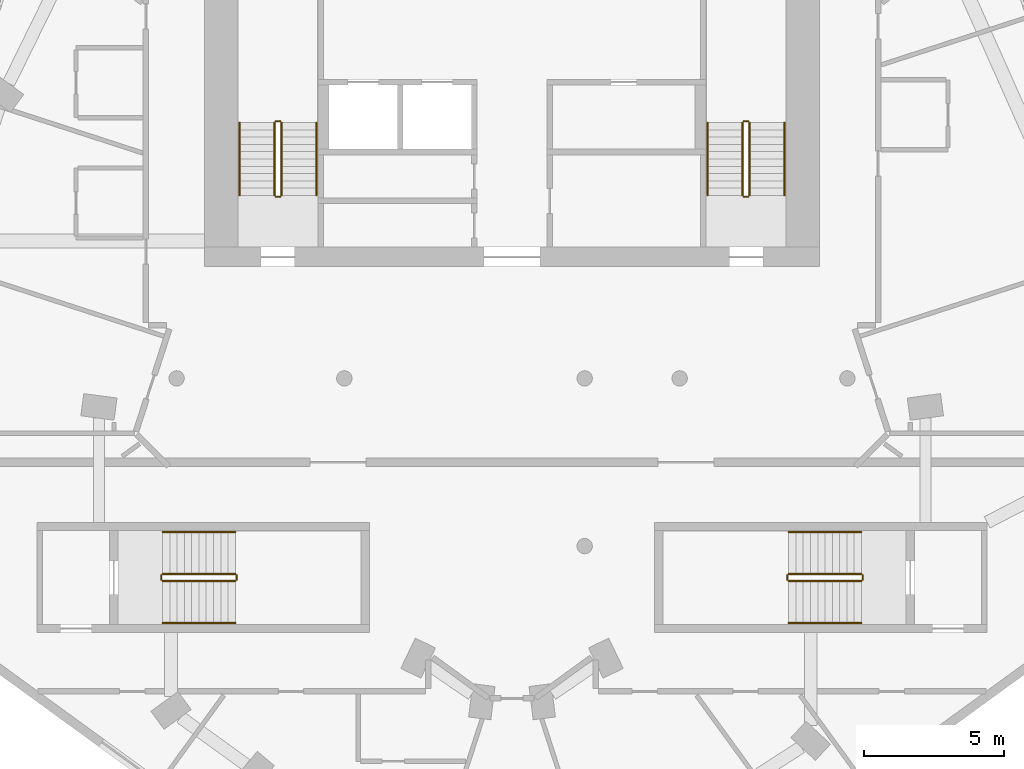
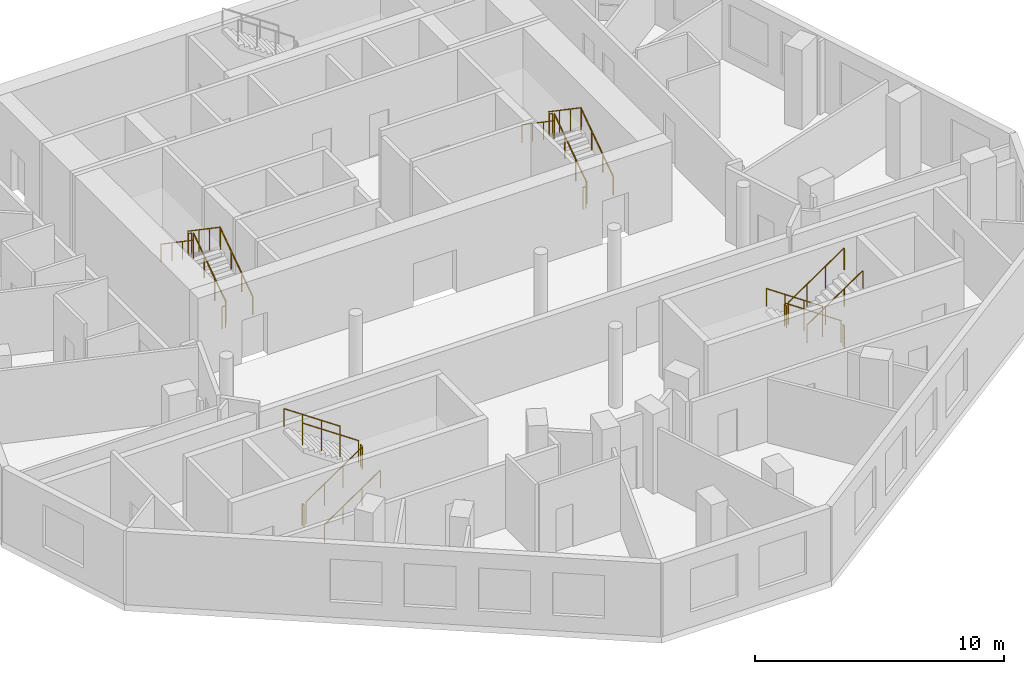
# One storey, part 7 of 8: 24 railings.
"""IFC4 building model written with IfcOpenShell, lengths in metres."""

from ifc_helpers import new_model, si_unit, direction, frame, origin, origin_2d, place, context, subcontext, project, spatial, circle, extrude, material, type_object, element, save


model = new_model("IFC4")

# Units and contexts
model_context = context("Model", 3, precision=1e-05, world=origin(), true_north=direction((0.0, 1.0)))
body_context = subcontext(model_context, "Body", "Model", "MODEL_VIEW")
ifc_project = project(units=[si_unit("LENGTHUNIT", "METRE"), si_unit("AREAUNIT", "SQUARE_METRE"), si_unit("VOLUMEUNIT", "CUBIC_METRE"), si_unit("PLANEANGLEUNIT", "RADIAN"), si_unit("MASSUNIT", "GRAM", prefix="KILO")], contexts=[model_context])

# Site, building, storey
site_placement = place(None, origin())
site = spatial("IfcSite", under=ifc_project, at=site_placement, CompositionType="ELEMENT")
building_placement = place(site_placement, origin())
building = spatial("IfcBuilding", under=site, at=building_placement, Name="White Candle Pilgrim Tower", CompositionType="ELEMENT")
storey_placement = place(building_placement, frame((0.0, 0.0, 267.800048828125)))
storey = spatial("IfcBuildingStorey", under=building, at=storey_placement, Name="L63", CompositionType="ELEMENT", Elevation=267.800048828125)

# Railings
ifc_material = material(Name="Stainless steel", Category="steel")
railing_type_1 = type_object("IfcRailingType", Name="Stair guard stainless steel 1100 mm", PredefinedType="GUARDRAIL", material=ifc_material)
railing_1_placement = place(storey_placement, frame((61.75, 73.550048828125, 0.17724609375)))
element("IfcRailing", 1, at=railing_1_placement, inside=storey, type_object=railing_type_1, Name="L63 ST1 stair guard 1", PredefinedType="GUARDRAIL", context=body_context, shape_type="SweptSolid", body=[
    extrude(circle(Radius=0.02392578125, at=origin_2d()), frame((0.0, 0.0, 1.076171875), z_axis=(0.0, 0.826215852431, 0.563353676824), x_axis=(-1.0, 0.0, 0.0)), (0.0, 0.0, 1.0), 3.146728515625),
    extrude(circle(Radius=0.02099609375, at=origin_2d()), origin(), (0.0, 0.0, 1.0), 1.052001953125),
    extrude(circle(Radius=0.02099609375, at=origin_2d()), frame((0.0, 0.86669921875, 0.5908203125)), (0.0, 0.0, 1.0), 1.052001953125),
    extrude(circle(Radius=0.02099609375, at=origin_2d()), frame((0.0, 1.733154296875, 1.181884765625)), (0.0, 0.0, 1.0), 1.052001953125),
    extrude(circle(Radius=0.02099609375, at=origin_2d()), frame((0.0, 2.599853515625, 1.772705078125)), (0.0, 0.0, 1.0), 1.052001953125),
])
railing_2_placement = place(storey_placement, frame((61.699951171875, 76.199951171875, 1.949951171875)))
element("IfcRailing", 2, at=railing_2_placement, inside=storey, type_object=railing_type_1, Name="L63 ST1 stair guard 2", PredefinedType="GUARDRAIL", context=body_context, shape_type="SweptSolid", body=[
    extrude(circle(Radius=0.02392578125, at=origin_2d()), frame((0.0, 0.0, 1.076171875), z_axis=(-1.0, 0.0, 0.0), x_axis=(0.0, -1.0, 0.0)), (0.0, 0.0, 1.0), 0.14990234375),
    extrude(circle(Radius=0.02099609375, at=origin_2d()), origin(), (0.0, 0.0, 1.0), 1.052001953125),
    extrude(circle(Radius=0.02099609375, at=origin_2d()), frame((-0.14990234375, 0.0, 0.0)), (0.0, 0.0, 1.0), 1.052001953125),
])
railing_3_placement = place(storey_placement, frame((61.5, 76.14990234375, 2.127197265625)))
element("IfcRailing", 3, at=railing_3_placement, inside=storey, type_object=railing_type_1, Name="L63 ST1 stair guard 3", PredefinedType="GUARDRAIL", context=body_context, shape_type="SweptSolid", body=[
    extrude(circle(Radius=0.02392578125, at=origin_2d()), frame((0.0, 0.0, 1.076171875), z_axis=(0.0, -0.826215852431, 0.563353676824), x_axis=(1.0, 0.0, 0.0)), (0.0, 0.0, 1.0), 3.146728515625),
    extrude(circle(Radius=0.02099609375, at=origin_2d()), origin(), (0.0, 0.0, 1.0), 1.052001953125),
    extrude(circle(Radius=0.02099609375, at=origin_2d()), frame((0.0, -0.86669921875, 0.5908203125)), (0.0, 0.0, 1.0), 1.052001953125),
    extrude(circle(Radius=0.02099609375, at=origin_2d()), frame((0.0, -1.733154296875, 1.181884765625)), (0.0, 0.0, 1.0), 1.052001953125),
    extrude(circle(Radius=0.02099609375, at=origin_2d()), frame((0.0, -2.599853515625, 1.772705078125)), (0.0, 0.0, 1.0), 1.052001953125),
])
railing_4_placement = place(storey_placement, frame((61.699951171875, 73.5, 0.0)))
element("IfcRailing", 4, at=railing_4_placement, inside=storey, type_object=railing_type_1, Name="L63 ST1 stair guard 4", PredefinedType="GUARDRAIL", context=body_context, shape_type="SweptSolid", body=[
    extrude(circle(Radius=0.02392578125, at=origin_2d()), frame((0.0, 0.0, 1.076171875), z_axis=(-1.0, 0.0, 0.0), x_axis=(0.0, -1.0, 0.0)), (0.0, 0.0, 1.0), 0.14990234375),
    extrude(circle(Radius=0.02099609375, at=origin_2d()), origin(), (0.0, 0.0, 1.0), 1.052001953125),
    extrude(circle(Radius=0.02099609375, at=origin_2d()), frame((-0.14990234375, 0.0, 0.0)), (0.0, 0.0, 1.0), 1.052001953125),
])
railing_5_placement = place(storey_placement, frame((78.5, 73.550048828125, 0.17724609375)))
element("IfcRailing", 5, at=railing_5_placement, inside=storey, type_object=railing_type_1, Name="L63 ST2 stair guard 1", PredefinedType="GUARDRAIL", context=body_context, shape_type="SweptSolid", body=[
    extrude(circle(Radius=0.02392578125, at=origin_2d()), frame((0.0, 0.0, 1.076171875), z_axis=(0.0, 0.826215852431, 0.563353676824), x_axis=(-1.0, 0.0, 0.0)), (0.0, 0.0, 1.0), 3.146728515625),
    extrude(circle(Radius=0.02099609375, at=origin_2d()), origin(), (0.0, 0.0, 1.0), 1.052001953125),
    extrude(circle(Radius=0.02099609375, at=origin_2d()), frame((0.0, 0.86669921875, 0.5908203125)), (0.0, 0.0, 1.0), 1.052001953125),
    extrude(circle(Radius=0.02099609375, at=origin_2d()), frame((0.0, 1.733154296875, 1.181884765625)), (0.0, 0.0, 1.0), 1.052001953125),
    extrude(circle(Radius=0.02099609375, at=origin_2d()), frame((0.0, 2.599853515625, 1.772705078125)), (0.0, 0.0, 1.0), 1.052001953125),
])
railing_6_placement = place(storey_placement, frame((78.449951171875, 76.199951171875, 1.949951171875)))
element("IfcRailing", 6, at=railing_6_placement, inside=storey, type_object=railing_type_1, Name="L63 ST2 stair guard 2", PredefinedType="GUARDRAIL", context=body_context, shape_type="SweptSolid", body=[
    extrude(circle(Radius=0.02392578125, at=origin_2d()), frame((0.0, 0.0, 1.076171875), z_axis=(-1.0, 0.0, 0.0), x_axis=(0.0, -1.0, 0.0)), (0.0, 0.0, 1.0), 0.14990234375),
    extrude(circle(Radius=0.02099609375, at=origin_2d()), origin(), (0.0, 0.0, 1.0), 1.052001953125),
    extrude(circle(Radius=0.02099609375, at=origin_2d()), frame((-0.14990234375, 0.0, 0.0)), (0.0, 0.0, 1.0), 1.052001953125),
])
railing_7_placement = place(storey_placement, frame((78.25, 76.14990234375, 2.127197265625)))
element("IfcRailing", 7, at=railing_7_placement, inside=storey, type_object=railing_type_1, Name="L63 ST2 stair guard 3", PredefinedType="GUARDRAIL", context=body_context, shape_type="SweptSolid", body=[
    extrude(circle(Radius=0.02392578125, at=origin_2d()), frame((0.0, 0.0, 1.076171875), z_axis=(0.0, -0.826215852431, 0.563353676824), x_axis=(1.0, 0.0, 0.0)), (0.0, 0.0, 1.0), 3.146728515625),
    extrude(circle(Radius=0.02099609375, at=origin_2d()), origin(), (0.0, 0.0, 1.0), 1.052001953125),
    extrude(circle(Radius=0.02099609375, at=origin_2d()), frame((0.0, -0.86669921875, 0.5908203125)), (0.0, 0.0, 1.0), 1.052001953125),
    extrude(circle(Radius=0.02099609375, at=origin_2d()), frame((0.0, -1.733154296875, 1.181884765625)), (0.0, 0.0, 1.0), 1.052001953125),
    extrude(circle(Radius=0.02099609375, at=origin_2d()), frame((0.0, -2.599853515625, 1.772705078125)), (0.0, 0.0, 1.0), 1.052001953125),
])
railing_8_placement = place(storey_placement, frame((78.449951171875, 73.5, 0.0)))
element("IfcRailing", 8, at=railing_8_placement, inside=storey, type_object=railing_type_1, Name="L63 ST2 stair guard 4", PredefinedType="GUARDRAIL", context=body_context, shape_type="SweptSolid", body=[
    extrude(circle(Radius=0.02392578125, at=origin_2d()), frame((0.0, 0.0, 1.076171875), z_axis=(-1.0, 0.0, 0.0), x_axis=(0.0, -1.0, 0.0)), (0.0, 0.0, 1.0), 0.14990234375),
    extrude(circle(Radius=0.02099609375, at=origin_2d()), origin(), (0.0, 0.0, 1.0), 1.052001953125),
    extrude(circle(Radius=0.02099609375, at=origin_2d()), frame((-0.14990234375, 0.0, 0.0)), (0.0, 0.0, 1.0), 1.052001953125),
])
railing_9_placement = place(storey_placement, frame((82.5, 60.0, 0.17724609375)))
element("IfcRailing", 9, at=railing_9_placement, inside=storey, type_object=railing_type_1, Name="L63 ST4 stair guard 1", PredefinedType="GUARDRAIL", context=body_context, shape_type="SweptSolid", body=[
    extrude(circle(Radius=0.02392578125, at=origin_2d()), frame((0.0, 0.0, 1.076171875), z_axis=(-0.826240473404, 0.0, 0.563317565952), x_axis=(0.0, -1.0, 0.0)), (0.0, 0.0, 1.0), 3.14697265625),
    extrude(circle(Radius=0.02099609375, at=origin_2d()), origin(), (0.0, 0.0, 1.0), 1.052001953125),
    extrude(circle(Radius=0.02099609375, at=origin_2d()), frame((-0.86669921875, 0.0, 0.5908203125)), (0.0, 0.0, 1.0), 1.052001953125),
    extrude(circle(Radius=0.02099609375, at=origin_2d()), frame((-1.7333984375, 0.0, 1.181884765625)), (0.0, 0.0, 1.0), 1.052001953125),
    extrude(circle(Radius=0.02099609375, at=origin_2d()), frame((-2.60009765625, 0.0, 1.772705078125)), (0.0, 0.0, 1.0), 1.052001953125),
])
railing_10_placement = place(storey_placement, frame((79.85009765625, 59.949951171875, 1.949951171875)))
element("IfcRailing", 10, at=railing_10_placement, inside=storey, type_object=railing_type_1, Name="L63 ST4 stair guard 2", PredefinedType="GUARDRAIL", context=body_context, shape_type="SweptSolid", body=[
    extrude(circle(Radius=0.02392578125, at=origin_2d()), frame((0.0, 0.0, 1.076171875), z_axis=(0.0, -1.0, 0.0), x_axis=(1.0, 0.0, 0.0)), (0.0, 0.0, 1.0), 0.14990234375),
    extrude(circle(Radius=0.02099609375, at=origin_2d()), origin(), (0.0, 0.0, 1.0), 1.052001953125),
    extrude(circle(Radius=0.02099609375, at=origin_2d()), frame((0.0, -0.14990234375, 0.0)), (0.0, 0.0, 1.0), 1.052001953125),
])
railing_11_placement = place(storey_placement, frame((79.89990234375, 59.75, 2.127197265625)))
element("IfcRailing", 11, at=railing_11_placement, inside=storey, type_object=railing_type_1, Name="L63 ST4 stair guard 3", PredefinedType="GUARDRAIL", context=body_context, shape_type="SweptSolid", body=[
    extrude(circle(Radius=0.02392578125, at=origin_2d()), frame((0.0, 0.0, 1.076171875), z_axis=(0.826240473404, 0.0, 0.563317565952), x_axis=(0.0, 1.0, 0.0)), (0.0, 0.0, 1.0), 3.14697265625),
    extrude(circle(Radius=0.02099609375, at=origin_2d()), origin(), (0.0, 0.0, 1.0), 1.052001953125),
    extrude(circle(Radius=0.02099609375, at=origin_2d()), frame((0.86669921875, 0.0, 0.5908203125)), (0.0, 0.0, 1.0), 1.052001953125),
    extrude(circle(Radius=0.02099609375, at=origin_2d()), frame((1.7333984375, 0.0, 1.181884765625)), (0.0, 0.0, 1.0), 1.052001953125),
    extrude(circle(Radius=0.02099609375, at=origin_2d()), frame((2.60009765625, 0.0, 1.772705078125)), (0.0, 0.0, 1.0), 1.052001953125),
])
railing_12_placement = place(storey_placement, frame((82.550048828125, 59.949951171875, 0.0)))
element("IfcRailing", 12, at=railing_12_placement, inside=storey, type_object=railing_type_1, Name="L63 ST4 stair guard 4", PredefinedType="GUARDRAIL", context=body_context, shape_type="SweptSolid", body=[
    extrude(circle(Radius=0.02392578125, at=origin_2d()), frame((0.0, 0.0, 1.076171875), z_axis=(0.0, -1.0, 0.0), x_axis=(1.0, 0.0, 0.0)), (0.0, 0.0, 1.0), 0.14990234375),
    extrude(circle(Radius=0.02099609375, at=origin_2d()), origin(), (0.0, 0.0, 1.0), 1.052001953125),
    extrude(circle(Radius=0.02099609375, at=origin_2d()), frame((0.0, -0.14990234375, 0.0)), (0.0, 0.0, 1.0), 1.052001953125),
])
railing_13_placement = place(storey_placement, frame((57.5, 59.75, 0.17724609375)))
element("IfcRailing", 13, at=railing_13_placement, inside=storey, type_object=railing_type_1, Name="L63 ST5 stair guard 1", PredefinedType="GUARDRAIL", context=body_context, shape_type="SweptSolid", body=[
    extrude(circle(Radius=0.02392578125, at=origin_2d()), frame((0.0, 0.0, 1.076171875), z_axis=(0.826240473404, 0.0, 0.563317565952), x_axis=(0.0, 1.0, 0.0)), (0.0, 0.0, 1.0), 3.14697265625),
    extrude(circle(Radius=0.02099609375, at=origin_2d()), origin(), (0.0, 0.0, 1.0), 1.052001953125),
    extrude(circle(Radius=0.02099609375, at=origin_2d()), frame((0.86669921875, 0.0, 0.5908203125)), (0.0, 0.0, 1.0), 1.052001953125),
    extrude(circle(Radius=0.02099609375, at=origin_2d()), frame((1.7333984375, 0.0, 1.181884765625)), (0.0, 0.0, 1.0), 1.052001953125),
    extrude(circle(Radius=0.02099609375, at=origin_2d()), frame((2.60009765625, 0.0, 1.772705078125)), (0.0, 0.0, 1.0), 1.052001953125),
])
railing_14_placement = place(storey_placement, frame((60.14990234375, 59.800048828125, 1.949951171875)))
element("IfcRailing", 14, at=railing_14_placement, inside=storey, type_object=railing_type_1, Name="L63 ST5 stair guard 2", PredefinedType="GUARDRAIL", context=body_context, shape_type="SweptSolid", body=[
    extrude(circle(Radius=0.02392578125, at=origin_2d()), frame((0.0, 0.0, 1.076171875), z_axis=(0.0, 1.0, 0.0), x_axis=(-1.0, 0.0, 0.0)), (0.0, 0.0, 1.0), 0.14990234375),
    extrude(circle(Radius=0.02099609375, at=origin_2d()), origin(), (0.0, 0.0, 1.0), 1.052001953125),
    extrude(circle(Radius=0.02099609375, at=origin_2d()), frame((0.0, 0.14990234375, 0.0)), (0.0, 0.0, 1.0), 1.052001953125),
])
railing_15_placement = place(storey_placement, frame((60.10009765625, 60.0, 2.127197265625)))
element("IfcRailing", 15, at=railing_15_placement, inside=storey, type_object=railing_type_1, Name="L63 ST5 stair guard 3", PredefinedType="GUARDRAIL", context=body_context, shape_type="SweptSolid", body=[
    extrude(circle(Radius=0.02392578125, at=origin_2d()), frame((0.0, 0.0, 1.076171875), z_axis=(-0.826240473404, 0.0, 0.563317565952), x_axis=(0.0, -1.0, 0.0)), (0.0, 0.0, 1.0), 3.14697265625),
    extrude(circle(Radius=0.02099609375, at=origin_2d()), origin(), (0.0, 0.0, 1.0), 1.052001953125),
    extrude(circle(Radius=0.02099609375, at=origin_2d()), frame((-0.86669921875, 0.0, 0.5908203125)), (0.0, 0.0, 1.0), 1.052001953125),
    extrude(circle(Radius=0.02099609375, at=origin_2d()), frame((-1.7333984375, 0.0, 1.181884765625)), (0.0, 0.0, 1.0), 1.052001953125),
    extrude(circle(Radius=0.02099609375, at=origin_2d()), frame((-2.60009765625, 0.0, 1.772705078125)), (0.0, 0.0, 1.0), 1.052001953125),
])
railing_16_placement = place(storey_placement, frame((57.449951171875, 59.800048828125, 0.0)))
element("IfcRailing", 16, at=railing_16_placement, inside=storey, type_object=railing_type_1, Name="L63 ST5 stair guard 4", PredefinedType="GUARDRAIL", context=body_context, shape_type="SweptSolid", body=[
    extrude(circle(Radius=0.02392578125, at=origin_2d()), frame((0.0, 0.0, 1.076171875), z_axis=(0.0, 1.0, 0.0), x_axis=(-1.0, 0.0, 0.0)), (0.0, 0.0, 1.0), 0.14990234375),
    extrude(circle(Radius=0.02099609375, at=origin_2d()), origin(), (0.0, 0.0, 1.0), 1.052001953125),
    extrude(circle(Radius=0.02099609375, at=origin_2d()), frame((0.0, 0.14990234375, 0.0)), (0.0, 0.0, 1.0), 1.052001953125),
])
railing_type_2 = type_object("IfcRailingType", Name="Stair handrail stainless steel", PredefinedType="HANDRAIL", material=ifc_material)
railing_17_placement = place(storey_placement, frame((63.0, 73.550048828125, 0.17724609375)))
element("IfcRailing", 17, at=railing_17_placement, inside=storey, type_object=railing_type_2, Name="L63 ST1 stair handrail 1", PredefinedType="HANDRAIL", context=body_context, shape_type="SweptSolid", body=[
    extrude(circle(Radius=0.02392578125, at=origin_2d()), frame((0.0, 0.0, 0.8759765625), z_axis=(0.0, 0.826215852431, 0.563353676824), x_axis=(-1.0, 0.0, 0.0)), (0.0, 0.0, 1.0), 3.146728515625),
    extrude(circle(Radius=0.02099609375, at=origin_2d()), origin(), (0.0, 0.0, 1.0), 0.851806640625),
    extrude(circle(Radius=0.02099609375, at=origin_2d()), frame((0.0, 0.86669921875, 0.5908203125)), (0.0, 0.0, 1.0), 0.851806640625),
    extrude(circle(Radius=0.02099609375, at=origin_2d()), frame((0.0, 1.733154296875, 1.181884765625)), (0.0, 0.0, 1.0), 0.851806640625),
    extrude(circle(Radius=0.02099609375, at=origin_2d()), frame((0.0, 2.599853515625, 1.772705078125)), (0.0, 0.0, 1.0), 0.851806640625),
])
railing_18_placement = place(storey_placement, frame((60.25, 76.14990234375, 2.127197265625)))
element("IfcRailing", 18, at=railing_18_placement, inside=storey, type_object=railing_type_2, Name="L63 ST1 stair handrail 2", PredefinedType="HANDRAIL", context=body_context, shape_type="SweptSolid", body=[
    extrude(circle(Radius=0.02392578125, at=origin_2d()), frame((0.0, 0.0, 0.8759765625), z_axis=(0.0, -0.826215852431, 0.563353676824), x_axis=(1.0, 0.0, 0.0)), (0.0, 0.0, 1.0), 3.146728515625),
    extrude(circle(Radius=0.02099609375, at=origin_2d()), origin(), (0.0, 0.0, 1.0), 0.851806640625),
    extrude(circle(Radius=0.02099609375, at=origin_2d()), frame((0.0, -0.86669921875, 0.5908203125)), (0.0, 0.0, 1.0), 0.851806640625),
    extrude(circle(Radius=0.02099609375, at=origin_2d()), frame((0.0, -1.733154296875, 1.181884765625)), (0.0, 0.0, 1.0), 0.851806640625),
    extrude(circle(Radius=0.02099609375, at=origin_2d()), frame((0.0, -2.599853515625, 1.772705078125)), (0.0, 0.0, 1.0), 0.851806640625),
])
railing_19_placement = place(storey_placement, frame((79.75, 73.550048828125, 0.17724609375)))
element("IfcRailing", 19, at=railing_19_placement, inside=storey, type_object=railing_type_2, Name="L63 ST2 stair handrail 1", PredefinedType="HANDRAIL", context=body_context, shape_type="SweptSolid", body=[
    extrude(circle(Radius=0.02392578125, at=origin_2d()), frame((0.0, 0.0, 0.8759765625), z_axis=(0.0, 0.826215852431, 0.563353676824), x_axis=(-1.0, 0.0, 0.0)), (0.0, 0.0, 1.0), 3.146728515625),
    extrude(circle(Radius=0.02099609375, at=origin_2d()), origin(), (0.0, 0.0, 1.0), 0.851806640625),
    extrude(circle(Radius=0.02099609375, at=origin_2d()), frame((0.0, 0.86669921875, 0.5908203125)), (0.0, 0.0, 1.0), 0.851806640625),
    extrude(circle(Radius=0.02099609375, at=origin_2d()), frame((0.0, 1.733154296875, 1.181884765625)), (0.0, 0.0, 1.0), 0.851806640625),
    extrude(circle(Radius=0.02099609375, at=origin_2d()), frame((0.0, 2.599853515625, 1.772705078125)), (0.0, 0.0, 1.0), 0.851806640625),
])
railing_20_placement = place(storey_placement, frame((77.0, 76.14990234375, 2.127197265625)))
element("IfcRailing", 20, at=railing_20_placement, inside=storey, type_object=railing_type_2, Name="L63 ST2 stair handrail 2", PredefinedType="HANDRAIL", context=body_context, shape_type="SweptSolid", body=[
    extrude(circle(Radius=0.02392578125, at=origin_2d()), frame((0.0, 0.0, 0.8759765625), z_axis=(0.0, -0.826215852431, 0.563353676824), x_axis=(1.0, 0.0, 0.0)), (0.0, 0.0, 1.0), 3.146728515625),
    extrude(circle(Radius=0.02099609375, at=origin_2d()), origin(), (0.0, 0.0, 1.0), 0.851806640625),
    extrude(circle(Radius=0.02099609375, at=origin_2d()), frame((0.0, -0.86669921875, 0.5908203125)), (0.0, 0.0, 1.0), 0.851806640625),
    extrude(circle(Radius=0.02099609375, at=origin_2d()), frame((0.0, -1.733154296875, 1.181884765625)), (0.0, 0.0, 1.0), 0.851806640625),
    extrude(circle(Radius=0.02099609375, at=origin_2d()), frame((0.0, -2.599853515625, 1.772705078125)), (0.0, 0.0, 1.0), 0.851806640625),
])
railing_21_placement = place(storey_placement, frame((82.5, 61.5, 0.17724609375)))
element("IfcRailing", 21, at=railing_21_placement, inside=storey, type_object=railing_type_2, Name="L63 ST4 stair handrail 1", PredefinedType="HANDRAIL", context=body_context, shape_type="SweptSolid", body=[
    extrude(circle(Radius=0.02392578125, at=origin_2d()), frame((0.0, 0.0, 0.8759765625), z_axis=(-0.826240473404, 0.0, 0.563317565952), x_axis=(0.0, -1.0, 0.0)), (0.0, 0.0, 1.0), 3.14697265625),
    extrude(circle(Radius=0.02099609375, at=origin_2d()), origin(), (0.0, 0.0, 1.0), 0.851806640625),
    extrude(circle(Radius=0.02099609375, at=origin_2d()), frame((-0.86669921875, 0.0, 0.5908203125)), (0.0, 0.0, 1.0), 0.851806640625),
    extrude(circle(Radius=0.02099609375, at=origin_2d()), frame((-1.7333984375, 0.0, 1.181884765625)), (0.0, 0.0, 1.0), 0.851806640625),
    extrude(circle(Radius=0.02099609375, at=origin_2d()), frame((-2.60009765625, 0.0, 1.772705078125)), (0.0, 0.0, 1.0), 0.851806640625),
])
for number, where, name in (
    (22, (79.89990234375, 58.25, 2.127197265625), "L63 ST4 stair handrail 2"),
    (23, (57.5, 58.25, 0.17724609375), "L63 ST5 stair handrail 1"),
):
    element("IfcRailing", number, at=place(storey_placement, frame(where)), inside=storey, type_object=railing_type_2, Name=name, PredefinedType="HANDRAIL", context=body_context, shape_type="SweptSolid", body=[
        extrude(circle(Radius=0.02392578125, at=origin_2d()), frame((0.0, 0.0, 0.8759765625), z_axis=(0.826240473404, 0.0, 0.563317565952), x_axis=(0.0, 1.0, 0.0)), (0.0, 0.0, 1.0), 3.14697265625),
        extrude(circle(Radius=0.02099609375, at=origin_2d()), origin(), (0.0, 0.0, 1.0), 0.851806640625),
        extrude(circle(Radius=0.02099609375, at=origin_2d()), frame((0.86669921875, 0.0, 0.5908203125)), (0.0, 0.0, 1.0), 0.851806640625),
        extrude(circle(Radius=0.02099609375, at=origin_2d()), frame((1.7333984375, 0.0, 1.181884765625)), (0.0, 0.0, 1.0), 0.851806640625),
        extrude(circle(Radius=0.02099609375, at=origin_2d()), frame((2.60009765625, 0.0, 1.772705078125)), (0.0, 0.0, 1.0), 0.851806640625),
    ])
railing_22_placement = place(storey_placement, frame((60.10009765625, 61.5, 2.127197265625)))
element("IfcRailing", 24, at=railing_22_placement, inside=storey, type_object=railing_type_2, Name="L63 ST5 stair handrail 2", PredefinedType="HANDRAIL", context=body_context, shape_type="SweptSolid", body=[
    extrude(circle(Radius=0.02392578125, at=origin_2d()), frame((0.0, 0.0, 0.8759765625), z_axis=(-0.826240473404, 0.0, 0.563317565952), x_axis=(0.0, -1.0, 0.0)), (0.0, 0.0, 1.0), 3.14697265625),
    extrude(circle(Radius=0.02099609375, at=origin_2d()), origin(), (0.0, 0.0, 1.0), 0.851806640625),
    extrude(circle(Radius=0.02099609375, at=origin_2d()), frame((-0.86669921875, 0.0, 0.5908203125)), (0.0, 0.0, 1.0), 0.851806640625),
    extrude(circle(Radius=0.02099609375, at=origin_2d()), frame((-1.7333984375, 0.0, 1.181884765625)), (0.0, 0.0, 1.0), 0.851806640625),
    extrude(circle(Radius=0.02099609375, at=origin_2d()), frame((-2.60009765625, 0.0, 1.772705078125)), (0.0, 0.0, 1.0), 0.851806640625),
])

save(model, "model.ifc")
